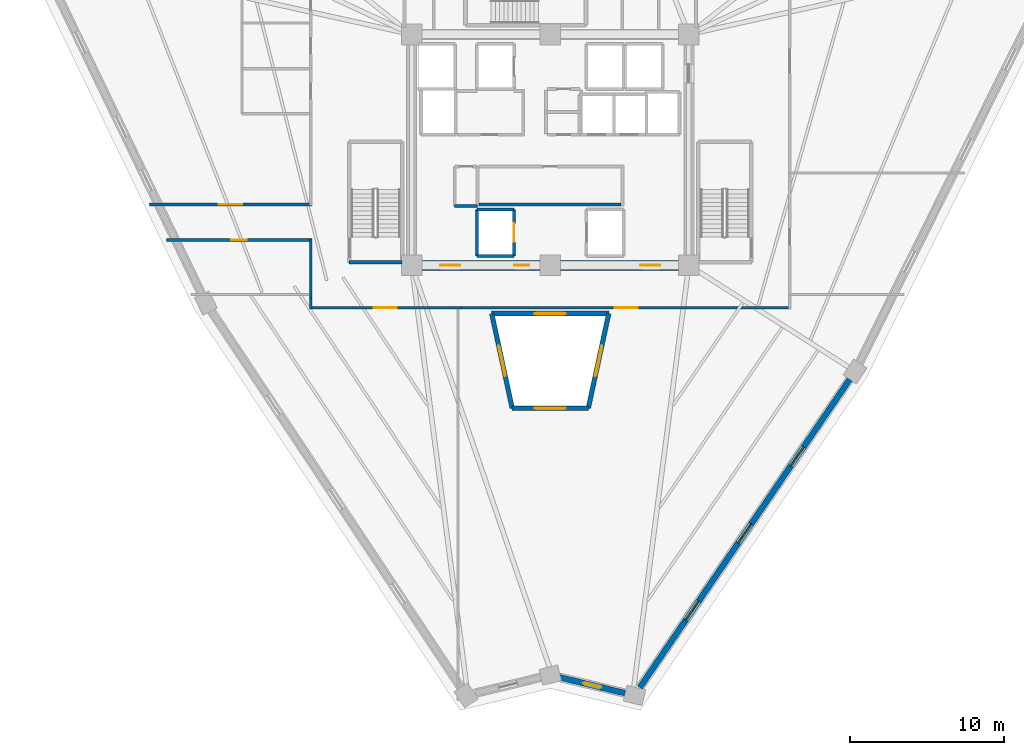
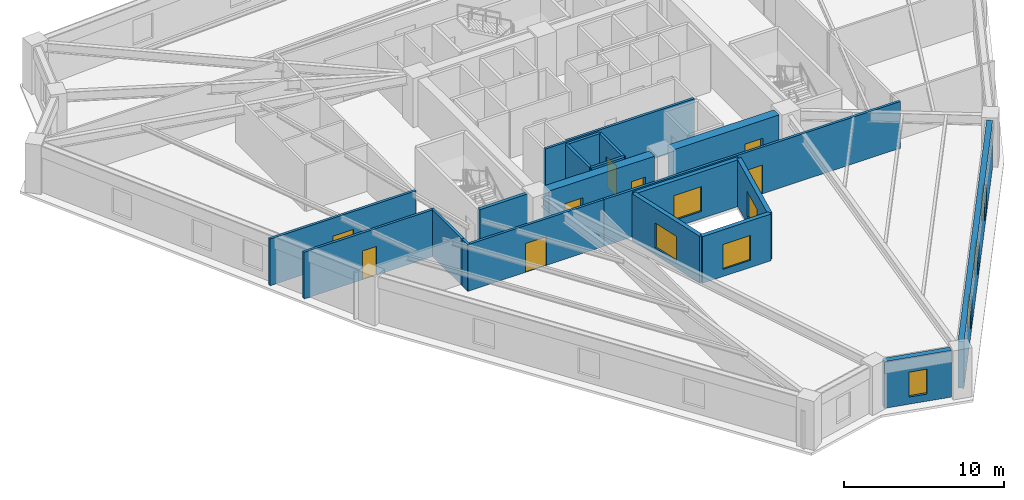
# One storey, part 3 of 8: 21 walls, 8 doors, 8 windows, 16 openings.
"""IFC4 building model written with IfcOpenShell, lengths in metres."""

from ifc_helpers import new_model, si_unit, direction, frame, frame_2d, origin, place, context, subcontext, project, spatial, rectangle, extrude, source, transform, mapped, material, layer, layer_set, type_object, element, fill, save


model = new_model("IFC4")

# Units and contexts
model_context = context("Model", 3, precision=1e-05, world=origin(), true_north=direction((0.0, 1.0)))
body_context = subcontext(model_context, "Body", "Model", "MODEL_VIEW")
ifc_project = project(units=[si_unit("LENGTHUNIT", "METRE"), si_unit("AREAUNIT", "SQUARE_METRE"), si_unit("VOLUMEUNIT", "CUBIC_METRE"), si_unit("PLANEANGLEUNIT", "RADIAN"), si_unit("MASSUNIT", "GRAM", prefix="KILO")], contexts=[model_context])

# Site, building, storey
site_placement = place(None, origin())
site = spatial("IfcSite", under=ifc_project, at=site_placement, CompositionType="ELEMENT")
building_placement = place(site_placement, origin())
building = spatial("IfcBuilding", under=site, at=building_placement, Name="Liaohun Quay Tower", CompositionType="ELEMENT")
storey_placement = place(building_placement, frame((0.0, 0.0, 220.5)))
storey = spatial("IfcBuildingStorey", under=building, at=storey_placement, Name="L57", CompositionType="ELEMENT", Elevation=220.5)

# Wall, opening, window
ifc_material_1 = material(Name="Concrete C50", Category="concrete")
ifc_layer_1 = layer(ifc_material_1, 0.300048828125, Name="Concrete C50", Category="concrete")
ifc_layer_set_1 = layer_set([ifc_layer_1], Name="Concrete C50")
wall_type_1 = type_object("IfcWallType", Name="WAL-ATR-300", PredefinedType="SOLIDWALL", material=ifc_layer_set_1)
wall_1_placement = place(storey_placement, frame((57.529052734375, 37.216064453125, 0.0), z_axis=(0.0, 0.0, 1.0), x_axis=(-0.21140087136, 0.97739944321, 0.0)))
wall_1 = element("IfcWall", 1, at=wall_1_placement, inside=storey, type_object=wall_type_1, Name="L57 Atrium Fire Compartment Wall 1", PredefinedType="SOLIDWALL", context=body_context, shape_type="SweptSolid", body=[
    extrude(rectangle(XDim=6.29638671875, YDim=0.300048828125, at=frame_2d((3.148193359375, 0.0))), origin(), (0.0, 0.0, 1.0), 3.570068359375),
])
shared_shape_1 = source(origin(), body_context, "Body", "SweptSolid", [
    extrude(rectangle(XDim=2.0, YDim=1.89990234375, at=frame_2d((1.0, 0.949951171875))), frame((0.0, 0.159912109375, 0.0), z_axis=(0.0, -1.0, 0.0), x_axis=(1.0, 0.0, 0.0)), (0.0, 0.0, 1.0), 0.320068359375),
])
opening_1_placement = place(wall_1_placement, frame((2.14794921875, 0.0, 0.550048828125)))
opening_1 = element("IfcOpeningElement", 2, at=opening_1_placement, cuts=wall_1, Name="Opening W07", PredefinedType="OPENING", context=body_context, shape_type="MappedRepresentation", body=[
    mapped(shared_shape_1, transform((0.0, 0.0, 0.0), x_axis=(1.0, 0.0, 0.0), y_axis=(0.0, 1.0, 0.0), z_axis=(0.0, 0.0, 1.0), scale=1.0)),
])
ifc_material_2 = material(Name="Class A 180-min fire-resistant insulated glazing", Category="glass")
window_type_1 = type_object("IfcWindowType", Name="WIN-ATR-FIR", PartitioningType="DOUBLE_PANEL_VERTICAL", PredefinedType="WINDOW", material=ifc_material_2)
shared_shape_2 = source(origin(), body_context, "Body", "SweptSolid", [
    extrude(rectangle(XDim=2.0, YDim=1.89990234375, at=frame_2d((1.0, 0.949951171875))), frame((0.0, 0.030029296875, 0.0), z_axis=(0.0, -1.0, 0.0), x_axis=(1.0, 0.0, 0.0)), (0.0, 0.0, 1.0), 0.06005859375),
])
window_1_placement = place(opening_1_placement, origin())
window_1 = element("IfcWindow", 3, at=window_1_placement, inside=storey, type_object=window_type_1, Name="L57 Atrium Fire-Resistant Glazing W07-1", OverallHeight=1.89990234375, OverallWidth=2.0, PartitioningType="DOUBLE_PANEL_VERTICAL", PredefinedType="WINDOW", context=body_context, shape_type="MappedRepresentation", body=[
    mapped(shared_shape_2, transform((0.0, 0.0, 0.0), x_axis=(1.0, 0.0, 0.0), y_axis=(0.0, 1.0, 0.0), z_axis=(0.0, 0.0, 1.0), scale=1.0)),
])
fill(opening_1, window_1)

wall_2_placement = place(storey_placement, frame((56.197998046875, 43.3701171875, 0.0), z_axis=(0.0, 0.0, 1.0), x_axis=(1.0, 0.0, 0.0)))
wall_2 = element("IfcWall", 4, at=wall_2_placement, inside=storey, type_object=wall_type_1, Name="L57 Atrium Fire Compartment Wall 2", PredefinedType="SOLIDWALL", context=body_context, shape_type="SweptSolid", body=[
    extrude(rectangle(XDim=7.60400390625, YDim=0.300048828125, at=frame_2d((3.802001953125, 0.0))), origin(), (0.0, 0.0, 1.0), 3.570068359375),
])
opening_2_placement = place(wall_2_placement, frame((2.802001953125, 0.0, 0.550048828125)))
opening_2 = element("IfcOpeningElement", 5, at=opening_2_placement, cuts=wall_2, Name="Opening W07", PredefinedType="OPENING", context=body_context, shape_type="MappedRepresentation", body=[
    mapped(shared_shape_1, transform((0.0, 0.0, 0.0), x_axis=(1.0, 0.0, 0.0), y_axis=(0.0, 1.0, 0.0), z_axis=(0.0, 0.0, 1.0), scale=1.0)),
])
window_2_placement = place(opening_2_placement, origin())
window_2 = element("IfcWindow", 6, at=window_2_placement, inside=storey, type_object=window_type_1, Name="L57 Atrium Fire-Resistant Glazing W07-2", OverallHeight=1.89990234375, OverallWidth=2.0, PartitioningType="DOUBLE_PANEL_VERTICAL", PredefinedType="WINDOW", context=body_context, shape_type="MappedRepresentation", body=[
    mapped(shared_shape_2, transform((0.0, 0.0, 0.0), x_axis=(1.0, 0.0, 0.0), y_axis=(0.0, 1.0, 0.0), z_axis=(0.0, 0.0, 1.0), scale=1.0)),
])
fill(opening_2, window_2)

wall_3_placement = place(storey_placement, frame((63.802001953125, 43.3701171875, 0.0), z_axis=(0.0, 0.0, 1.0), x_axis=(-0.21140087136, -0.97739944321, 0.0)))
wall_3 = element("IfcWall", 7, at=wall_3_placement, inside=storey, type_object=wall_type_1, Name="L57 Atrium Fire Compartment Wall 3", PredefinedType="SOLIDWALL", context=body_context, shape_type="SweptSolid", body=[
    extrude(rectangle(XDim=6.29638671875, YDim=0.300048828125, at=frame_2d((3.148193359375, 0.0))), origin(), (0.0, 0.0, 1.0), 3.570068359375),
])
opening_3_placement = place(wall_3_placement, frame((2.14794921875, 0.0, 0.550048828125)))
opening_3 = element("IfcOpeningElement", 8, at=opening_3_placement, cuts=wall_3, Name="Opening W07", PredefinedType="OPENING", context=body_context, shape_type="MappedRepresentation", body=[
    mapped(shared_shape_1, transform((0.0, 0.0, 0.0), x_axis=(1.0, 0.0, 0.0), y_axis=(0.0, 1.0, 0.0), z_axis=(0.0, 0.0, 1.0), scale=1.0)),
])
window_3_placement = place(opening_3_placement, origin())
window_3 = element("IfcWindow", 9, at=window_3_placement, inside=storey, type_object=window_type_1, Name="L57 Atrium Fire-Resistant Glazing W07-3", OverallHeight=1.89990234375, OverallWidth=2.0, PartitioningType="DOUBLE_PANEL_VERTICAL", PredefinedType="WINDOW", context=body_context, shape_type="MappedRepresentation", body=[
    mapped(shared_shape_2, transform((0.0, 0.0, 0.0), x_axis=(1.0, 0.0, 0.0), y_axis=(0.0, 1.0, 0.0), z_axis=(0.0, 0.0, 1.0), scale=1.0)),
])
fill(opening_3, window_3)

wall_4_placement = place(storey_placement, frame((62.470947265625, 37.216064453125, 0.0), z_axis=(0.0, 0.0, 1.0), x_axis=(-1.0, 0.0, 0.0)))
wall_4 = element("IfcWall", 10, at=wall_4_placement, inside=storey, type_object=wall_type_1, Name="L57 Atrium Fire Compartment Wall 4", PredefinedType="SOLIDWALL", context=body_context, shape_type="SweptSolid", body=[
    extrude(rectangle(XDim=4.94189453125, YDim=0.300048828125, at=frame_2d((2.470947265625, 0.0))), origin(), (0.0, 0.0, 1.0), 3.570068359375),
])
opening_4_placement = place(wall_4_placement, frame((1.470947265625, 0.0, 0.550048828125)))
opening_4 = element("IfcOpeningElement", 11, at=opening_4_placement, cuts=wall_4, Name="Opening W07", PredefinedType="OPENING", context=body_context, shape_type="MappedRepresentation", body=[
    mapped(shared_shape_1, transform((0.0, 0.0, 0.0), x_axis=(1.0, 0.0, 0.0), y_axis=(0.0, 1.0, 0.0), z_axis=(0.0, 0.0, 1.0), scale=1.0)),
])
window_4_placement = place(opening_4_placement, origin())
window_4 = element("IfcWindow", 12, at=window_4_placement, inside=storey, type_object=window_type_1, Name="L57 Atrium Fire-Resistant Glazing W07-4", OverallHeight=1.89990234375, OverallWidth=2.0, PartitioningType="DOUBLE_PANEL_VERTICAL", PredefinedType="WINDOW", context=body_context, shape_type="MappedRepresentation", body=[
    mapped(shared_shape_2, transform((0.0, 0.0, 0.0), x_axis=(1.0, 0.0, 0.0), y_axis=(0.0, 1.0, 0.0), z_axis=(0.0, 0.0, 1.0), scale=1.0)),
])
fill(opening_4, window_4)

# Wall, opening, door
ifc_material_3 = material(Name="Concrete C55", Category="concrete")
ifc_layer_2 = layer(ifc_material_3, 0.64990234375, Name="Concrete C55", Category="concrete")
ifc_layer_set_2 = layer_set([ifc_layer_2], Name="Concrete C55")
wall_type_2 = type_object("IfcWallType", Name="WAL-COR-Z3", PredefinedType="SHEAR", material=ifc_layer_set_2)
wall_5_placement = place(storey_placement, frame((68.324951171875, 46.5, 0.0), z_axis=(0.0, 0.0, 1.0), x_axis=(-1.0, 0.0, 0.0)))
wall_5 = element("IfcWall", 13, at=wall_5_placement, inside=storey, type_object=wall_type_2, Name="L57 Central Core Shear Wall S-E", PredefinedType="SHEAR", context=body_context, shape_type="SweptSolid", body=[
    extrude(rectangle(XDim=7.64990234375, YDim=0.64990234375, at=frame_2d((3.824951171875, 0.0))), origin(), (0.0, 0.0, 1.0), 3.570068359375),
])
shared_shape_3 = source(origin(), body_context, "Body", "SweptSolid", [
    extrude(rectangle(XDim=1.300048828125, YDim=2.199951171875, at=frame_2d((0.64990234375, 1.10009765625))), frame((0.0, 0.3349609375, 0.0), z_axis=(0.0, -1.0, 0.0), x_axis=(1.0, 0.0, 0.0)), (0.0, 0.0, 1.0), 0.669921875),
])
opening_5_placement = place(wall_5_placement, frame((1.175048828125, 0.0, 0.0)))
opening_5 = element("IfcOpeningElement", 14, at=opening_5_placement, cuts=wall_5, Name="Opening FD1", PredefinedType="OPENING", context=body_context, shape_type="MappedRepresentation", body=[
    mapped(shared_shape_3, transform((0.0, 0.0, 0.0), x_axis=(1.0, 0.0, 0.0), y_axis=(0.0, 1.0, 0.0), z_axis=(0.0, 0.0, 1.0), scale=1.0)),
])
ifc_material_4 = material(Name="Galvanised steel smokeproof fire door", Category="steel")
door_type_1 = type_object("IfcDoorType", Name="DOR-FFL-1300", OperationType="NOTDEFINED", PredefinedType="DOOR", material=ifc_material_4)
shared_shape_4 = source(origin(), body_context, "Body", "SweptSolid", [
    extrude(rectangle(XDim=1.300048828125, YDim=2.199951171875, at=frame_2d((0.64990234375, 1.10009765625))), frame((0.0, 0.02490234375, 0.0), z_axis=(0.0, -1.0, 0.0), x_axis=(1.0, 0.0, 0.0)), (0.0, 0.0, 1.0), 0.050048828125),
])
door_1_placement = place(opening_5_placement, origin())
door_1 = element("IfcDoor", 15, at=door_1_placement, inside=storey, type_object=door_type_1, Name="L57 East Core Lift Lobby Smokeproof Door", OperationType="SINGLE_SWING_LEFT", OverallHeight=2.199951171875, OverallWidth=1.300048828125, PredefinedType="DOOR", context=body_context, shape_type="MappedRepresentation", body=[
    mapped(shared_shape_4, transform((0.0, 0.0, 0.0), x_axis=(1.0, 0.0, 0.0), y_axis=(0.0, 1.0, 0.0), z_axis=(0.0, 0.0, 1.0), scale=1.0)),
])
fill(opening_5, door_1)

# Wall, openings, doors
wall_6_placement = place(storey_placement, frame((59.324951171875, 46.5, 0.0), z_axis=(0.0, 0.0, 1.0), x_axis=(-1.0, 0.0, 0.0)))
wall_6 = element("IfcWall", 16, at=wall_6_placement, inside=storey, type_object=wall_type_2, Name="L57 Central Core Shear Wall S-W", PredefinedType="SHEAR", context=body_context, shape_type="SweptSolid", body=[
    extrude(rectangle(XDim=7.64990234375, YDim=0.64990234375, at=frame_2d((3.824951171875, 0.0))), origin(), (0.0, 0.0, 1.0), 3.570068359375),
])
opening_6_placement = place(wall_6_placement, frame((5.175048828125, 0.0, 0.0)))
opening_6 = element("IfcOpeningElement", 17, at=opening_6_placement, cuts=wall_6, Name="Opening FD1", PredefinedType="OPENING", context=body_context, shape_type="MappedRepresentation", body=[
    mapped(shared_shape_3, transform((0.0, 0.0, 0.0), x_axis=(1.0, 0.0, 0.0), y_axis=(0.0, 1.0, 0.0), z_axis=(0.0, 0.0, 1.0), scale=1.0)),
])
shared_shape_5 = source(origin(), body_context, "Body", "SweptSolid", [
    extrude(rectangle(XDim=1.0, YDim=2.199951171875, at=frame_2d((0.5, 1.10009765625))), frame((0.0, 0.3349609375, 0.0), z_axis=(0.0, -1.0, 0.0), x_axis=(1.0, 0.0, 0.0)), (0.0, 0.0, 1.0), 0.669921875),
])
opening_7_placement = place(wall_6_placement, frame((0.675048828125, 0.0, 0.0)))
opening_7 = element("IfcOpeningElement", 18, at=opening_7_placement, cuts=wall_6, Name="Opening FD2", PredefinedType="OPENING", context=body_context, shape_type="MappedRepresentation", body=[
    mapped(shared_shape_5, transform((0.0, 0.0, 0.0), x_axis=(1.0, 0.0, 0.0), y_axis=(0.0, 1.0, 0.0), z_axis=(0.0, 0.0, 1.0), scale=1.0)),
])
door_2_placement = place(opening_6_placement, origin())
door_2 = element("IfcDoor", 19, at=door_2_placement, inside=storey, type_object=door_type_1, Name="L57 West Core Lift Lobby Smokeproof Door", OperationType="SINGLE_SWING_RIGHT", OverallHeight=2.199951171875, OverallWidth=1.300048828125, PredefinedType="DOOR", context=body_context, shape_type="MappedRepresentation", body=[
    mapped(shared_shape_4, transform((0.0, 0.0, 0.0), x_axis=(1.0, 0.0, 0.0), y_axis=(0.0, 1.0, 0.0), z_axis=(0.0, 0.0, 1.0), scale=1.0)),
])
fill(opening_6, door_2)
ifc_material_5 = material(Name="Galvanised steel smokeproof lobby fire door", Category="steel")
door_type_2 = type_object("IfcDoorType", Name="DOR-FFL-1000", OperationType="NOTDEFINED", PredefinedType="DOOR", material=ifc_material_5)
shared_shape_6 = source(origin(), body_context, "Body", "SweptSolid", [
    extrude(rectangle(XDim=1.0, YDim=2.199951171875, at=frame_2d((0.5, 1.10009765625))), frame((0.0, 0.02490234375, 0.0), z_axis=(0.0, -1.0, 0.0), x_axis=(1.0, 0.0, 0.0)), (0.0, 0.0, 1.0), 0.050048828125),
])
door_3_placement = place(opening_7_placement, origin())
door_3 = element("IfcDoor", 20, at=door_3_placement, inside=storey, type_object=door_type_2, Name="L57 South Firefighting Lobby Smokeproof Door", OperationType="SINGLE_SWING_LEFT", OverallHeight=2.199951171875, OverallWidth=1.0, PredefinedType="DOOR", context=body_context, shape_type="MappedRepresentation", body=[
    mapped(shared_shape_6, transform((0.0, 0.0, 0.0), x_axis=(1.0, 0.0, 0.0), y_axis=(0.0, 1.0, 0.0), z_axis=(0.0, 0.0, 1.0), scale=1.0)),
])
fill(opening_7, door_3)

# Wall, opening, window
ifc_material_6 = material(Name="Precast concrete C50 insulated sandwich", Category="concrete")
ifc_layer_3 = layer(ifc_material_6, 0.3798828125, Name="Precast concrete C50 insulated sandwich", Category="concrete")
ifc_layer_set_3 = layer_set([ifc_layer_3], Name="Precast concrete C50 insulated sandwich")
wall_type_3 = type_object("IfcWallType", Name="WAL-EXT-Z34", PredefinedType="SOLIDWALL", material=ifc_layer_set_3)
wall_7_placement = place(storey_placement, frame((60.597900390625, 19.7451171875, 0.0), z_axis=(0.0, 0.0, 1.0), x_axis=(0.971991723914, -0.235015081735, 0.0)))
wall_7 = element("IfcWall", 21, at=wall_7_placement, inside=storey, type_object=wall_type_3, Name="L57 Brutalist Precast Pier Wall 01", PredefinedType="SOLIDWALL", context=body_context, shape_type="SweptSolid", body=[
    extrude(rectangle(XDim=4.396240234375, YDim=0.3798828125, at=frame_2d((2.1982421875, 0.0))), origin(), (0.0, 0.0, 1.0), 3.570068359375),
])
shared_shape_7 = source(origin(), body_context, "Body", "SweptSolid", [
    extrude(rectangle(XDim=1.199951171875, YDim=1.89990234375, at=frame_2d((0.60009765625, 0.949951171875))), frame((0.0, 0.199951171875, 0.0), z_axis=(0.0, -1.0, 0.0), x_axis=(1.0, 0.0, 0.0)), (0.0, 0.0, 1.0), 0.39990234375),
])
opening_8_placement = place(wall_7_placement, frame((1.597900390625, 0.0, 0.550048828125)))
opening_8 = element("IfcOpeningElement", 22, at=opening_8_placement, cuts=wall_7, Name="Opening W05", PredefinedType="OPENING", context=body_context, shape_type="MappedRepresentation", body=[
    mapped(shared_shape_7, transform((0.0, 0.0, 0.0), x_axis=(1.0, 0.0, 0.0), y_axis=(0.0, 1.0, 0.0), z_axis=(0.0, 0.0, 1.0), scale=1.0)),
])
ifc_material_7 = material(Name="Triple Low-E corner notch glazing", Category="glass")
window_type_2 = type_object("IfcWindowType", Name="WIN-NOTCH", PartitioningType="SINGLE_PANEL", PredefinedType="WINDOW", material=ifc_material_7)
shared_shape_8 = source(origin(), body_context, "Body", "SweptSolid", [
    extrude(rectangle(XDim=1.199951171875, YDim=1.89990234375, at=frame_2d((0.60009765625, 0.949951171875))), frame((0.0, 0.030029296875, 0.0), z_axis=(0.0, -1.0, 0.0), x_axis=(1.0, 0.0, 0.0)), (0.0, 0.0, 1.0), 0.06005859375),
])
window_5_placement = place(opening_8_placement, origin())
window_5 = element("IfcWindow", 23, at=window_5_placement, inside=storey, type_object=window_type_2, Name="L57 Corner Notch Window W05-01", OverallHeight=1.89990234375, OverallWidth=1.199951171875, PartitioningType="SINGLE_PANEL", PredefinedType="WINDOW", context=body_context, shape_type="MappedRepresentation", body=[
    mapped(shared_shape_8, transform((0.0, 0.0, 0.0), x_axis=(1.0, 0.0, 0.0), y_axis=(0.0, 1.0, 0.0), z_axis=(0.0, 0.0, 1.0), scale=1.0)),
])
fill(opening_8, window_5)

# Wall, openings, windows
wall_8_placement = place(storey_placement, frame((65.81494140625, 19.075927734375, 0.0), z_axis=(0.0, 0.0, 1.0), x_axis=(0.562867607659, 0.82654706838, 0.0)))
wall_8 = element("IfcWall", 24, at=wall_8_placement, inside=storey, type_object=wall_type_3, Name="L57 Brutalist Precast Pier Wall 02", PredefinedType="SOLIDWALL", context=body_context, shape_type="SweptSolid", body=[
    extrude(rectangle(XDim=24.222412109375, YDim=0.3798828125, at=frame_2d((12.111328125, 0.0))), origin(), (0.0, 0.0, 1.0), 3.570068359375),
])
shared_shape_9 = source(origin(), body_context, "Body", "SweptSolid", [
    extrude(rectangle(XDim=1.5, YDim=1.89990234375, at=frame_2d((0.75, 0.949951171875))), frame((0.0, 0.199951171875, 0.0), z_axis=(0.0, -1.0, 0.0), x_axis=(1.0, 0.0, 0.0)), (0.0, 0.0, 1.0), 0.39990234375),
])
opening_9_placement = place(wall_8_placement, frame((5.305908203125, 0.0, 0.550048828125)))
opening_9 = element("IfcOpeningElement", 25, at=opening_9_placement, cuts=wall_8, Name="Opening W03", PredefinedType="OPENING", context=body_context, shape_type="MappedRepresentation", body=[
    mapped(shared_shape_9, transform((0.0, 0.0, 0.0), x_axis=(1.0, 0.0, 0.0), y_axis=(0.0, 1.0, 0.0), z_axis=(0.0, 0.0, 1.0), scale=1.0)),
])
opening_10_placement = place(wall_8_placement, frame((11.361083984375, 0.0, 0.550048828125)))
opening_10 = element("IfcOpeningElement", 26, at=opening_10_placement, cuts=wall_8, Name="Opening W03", PredefinedType="OPENING", context=body_context, shape_type="MappedRepresentation", body=[
    mapped(shared_shape_9, transform((0.0, 0.0, 0.0), x_axis=(1.0, 0.0, 0.0), y_axis=(0.0, 1.0, 0.0), z_axis=(0.0, 0.0, 1.0), scale=1.0)),
])
opening_11_placement = place(wall_8_placement, frame((17.4169921875, 0.0, 0.550048828125)))
opening_11 = element("IfcOpeningElement", 27, at=opening_11_placement, cuts=wall_8, Name="Opening W03", PredefinedType="OPENING", context=body_context, shape_type="MappedRepresentation", body=[
    mapped(shared_shape_9, transform((0.0, 0.0, 0.0), x_axis=(1.0, 0.0, 0.0), y_axis=(0.0, 1.0, 0.0), z_axis=(0.0, 0.0, 1.0), scale=1.0)),
])
ifc_material_8 = material(Name="Triple Low-E argon glazing in thermally broken aluminium", Category="aluminium")
window_type_3 = type_object("IfcWindowType", Name="WIN-PUN-Z3", PartitioningType="DOUBLE_PANEL_VERTICAL", PredefinedType="WINDOW", material=ifc_material_8)
shared_shape_10 = source(origin(), body_context, "Body", "SweptSolid", [
    extrude(rectangle(XDim=1.5, YDim=1.89990234375, at=frame_2d((0.75, 0.949951171875))), frame((0.0, 0.030029296875, 0.0), z_axis=(0.0, -1.0, 0.0), x_axis=(1.0, 0.0, 0.0)), (0.0, 0.0, 1.0), 0.06005859375),
])
window_6_placement = place(opening_9_placement, origin())
window_6 = element("IfcWindow", 28, at=window_6_placement, inside=storey, type_object=window_type_3, Name="L57 Recessed Cold-Climate Punched Window 02-1", OverallHeight=1.89990234375, OverallWidth=1.5, PartitioningType="DOUBLE_PANEL_VERTICAL", PredefinedType="WINDOW", context=body_context, shape_type="MappedRepresentation", body=[
    mapped(shared_shape_10, transform((0.0, 0.0, 0.0), x_axis=(1.0, 0.0, 0.0), y_axis=(0.0, 1.0, 0.0), z_axis=(0.0, 0.0, 1.0), scale=1.0)),
])
fill(opening_9, window_6)
window_7_placement = place(opening_10_placement, origin())
window_7 = element("IfcWindow", 29, at=window_7_placement, inside=storey, type_object=window_type_3, Name="L57 Recessed Cold-Climate Punched Window 02-2", OverallHeight=1.89990234375, OverallWidth=1.5, PartitioningType="DOUBLE_PANEL_VERTICAL", PredefinedType="WINDOW", context=body_context, shape_type="MappedRepresentation", body=[
    mapped(shared_shape_10, transform((0.0, 0.0, 0.0), x_axis=(1.0, 0.0, 0.0), y_axis=(0.0, 1.0, 0.0), z_axis=(0.0, 0.0, 1.0), scale=1.0)),
])
fill(opening_10, window_7)
window_8_placement = place(opening_11_placement, origin())
window_8 = element("IfcWindow", 30, at=window_8_placement, inside=storey, type_object=window_type_3, Name="L57 Recessed Cold-Climate Punched Window 02-3", OverallHeight=1.89990234375, OverallWidth=1.5, PartitioningType="DOUBLE_PANEL_VERTICAL", PredefinedType="WINDOW", context=body_context, shape_type="MappedRepresentation", body=[
    mapped(shared_shape_10, transform((0.0, 0.0, 0.0), x_axis=(1.0, 0.0, 0.0), y_axis=(0.0, 1.0, 0.0), z_axis=(0.0, 0.0, 1.0), scale=1.0)),
])
fill(opening_11, window_8)

# Wall, opening, door
ifc_material_9 = material(Name="Autoclaved aerated concrete blockwork", Category="masonry")
ifc_layer_4 = layer(ifc_material_9, 0.179931640625, Name="Autoclaved aerated concrete blockwork", Category="masonry")
ifc_layer_set_4 = layer_set([ifc_layer_4], Name="Autoclaved aerated concrete blockwork")
wall_type_4 = type_object("IfcWallType", Name="WAL-PRT-COR", PredefinedType="PARTITIONING", material=ifc_layer_set_4)
wall_9_placement = place(storey_placement, frame((33.9560546875, 50.4599609375, 0.0), z_axis=(0.0, 0.0, 1.0), x_axis=(1.0, 0.0, 0.0)))
wall_9 = element("IfcWall", 31, at=wall_9_placement, inside=storey, type_object=wall_type_4, Name="L57 Interior Partition Wall 019", PredefinedType="PARTITIONING", context=body_context, shape_type="SweptSolid", body=[
    extrude(rectangle(XDim=10.553955078125, YDim=0.179931640625, at=frame_2d((5.27685546875, 0.0))), origin(), (0.0, 0.0, 1.0), 3.570068359375),
])
shared_shape_11 = source(origin(), body_context, "Body", "SweptSolid", [
    extrude(rectangle(XDim=1.5, YDim=2.199951171875, at=frame_2d((0.75, 1.10009765625))), frame((0.0, 0.099853515625, 0.0), z_axis=(0.0, -1.0, 0.0), x_axis=(1.0, 0.0, 0.0)), (0.0, 0.0, 1.0), 0.199951171875),
])
opening_12_placement = place(wall_9_placement, frame((4.527099609375, 0.0, 0.0)))
opening_12 = element("IfcOpeningElement", 32, at=opening_12_placement, cuts=wall_9, Name="Opening OD2", PredefinedType="OPENING", context=body_context, shape_type="MappedRepresentation", body=[
    mapped(shared_shape_11, transform((0.0, 0.0, 0.0), x_axis=(1.0, 0.0, 0.0), y_axis=(0.0, 1.0, 0.0), z_axis=(0.0, 0.0, 1.0), scale=1.0)),
])
ifc_material_10 = material(Name="Acoustic oak veneer double door")
door_type_3 = type_object("IfcDoorType", Name="DOR-OFF-1500", OperationType="DOUBLE_DOOR_SINGLE_SWING", PredefinedType="DOOR", material=ifc_material_10)
shared_shape_12 = source(origin(), body_context, "Body", "SweptSolid", [
    extrude(rectangle(XDim=1.5, YDim=2.199951171875, at=frame_2d((0.75, 1.10009765625))), frame((0.0, 0.02490234375, 0.0), z_axis=(0.0, -1.0, 0.0), x_axis=(1.0, 0.0, 0.0)), (0.0, 0.0, 1.0), 0.050048828125),
])
door_4_placement = place(opening_12_placement, origin())
door_4 = element("IfcDoor", 33, at=door_4_placement, inside=storey, type_object=door_type_3, Name="L57 Project Collaboration Studio 04 Door", OperationType="DOUBLE_DOOR_SINGLE_SWING", OverallHeight=2.199951171875, OverallWidth=1.5, PredefinedType="DOOR", context=body_context, shape_type="MappedRepresentation", body=[
    mapped(shared_shape_12, transform((0.0, 0.0, 0.0), x_axis=(1.0, 0.0, 0.0), y_axis=(0.0, 1.0, 0.0), z_axis=(0.0, 0.0, 1.0), scale=1.0)),
])
fill(opening_12, door_4)

wall_10_placement = place(storey_placement, frame((44.510009765625, 48.139892578125, 0.0), z_axis=(0.0, 0.0, 1.0), x_axis=(-1.0, 0.0, 0.0)))
wall_10 = element("IfcWall", 34, at=wall_10_placement, inside=storey, type_object=wall_type_4, Name="L57 Interior Partition Wall 020", PredefinedType="PARTITIONING", context=body_context, shape_type="SweptSolid", body=[
    extrude(rectangle(XDim=9.43603515625, YDim=0.179931640625, at=frame_2d((4.718017578125, 0.0))), origin(), (0.0, 0.0, 1.0), 3.570068359375),
])
shared_shape_13 = source(origin(), body_context, "Body", "SweptSolid", [
    extrude(rectangle(XDim=1.0, YDim=2.199951171875, at=frame_2d((0.5, 1.10009765625))), frame((0.0, 0.099853515625, 0.0), z_axis=(0.0, -1.0, 0.0), x_axis=(1.0, 0.0, 0.0)), (0.0, 0.0, 1.0), 0.199951171875),
])
opening_13_placement = place(wall_10_placement, frame((4.218017578125, 0.0, 0.0)))
opening_13 = element("IfcOpeningElement", 35, at=opening_13_placement, cuts=wall_10, Name="Opening OD1", PredefinedType="OPENING", context=body_context, shape_type="MappedRepresentation", body=[
    mapped(shared_shape_13, transform((0.0, 0.0, 0.0), x_axis=(1.0, 0.0, 0.0), y_axis=(0.0, 1.0, 0.0), z_axis=(0.0, 0.0, 1.0), scale=1.0)),
])
ifc_material_11 = material(Name="Solid-core oak veneer timber leaf in steel frame", Category="steel")
door_type_4 = type_object("IfcDoorType", Name="DOR-OFF-1000", OperationType="NOTDEFINED", PredefinedType="DOOR", material=ifc_material_11)
door_5_placement = place(opening_13_placement, origin())
door_5 = element("IfcDoor", 36, at=door_5_placement, inside=storey, type_object=door_type_4, Name="L57 Client Collaboration Lounge 05 Door", OperationType="SINGLE_SWING_LEFT", OverallHeight=2.199951171875, OverallWidth=1.0, PredefinedType="DOOR", context=body_context, shape_type="MappedRepresentation", body=[
    mapped(shared_shape_6, transform((0.0, 0.0, 0.0), x_axis=(1.0, 0.0, 0.0), y_axis=(0.0, 1.0, 0.0), z_axis=(0.0, 0.0, 1.0), scale=1.0)),
])
fill(opening_13, door_5)

wall_11_placement = place(storey_placement, frame((54.215087890625, 43.739990234375, 0.0), z_axis=(0.0, 0.0, 1.0), x_axis=(-1.0, 0.0, 0.0)))
wall_11 = element("IfcWall", 37, at=wall_11_placement, inside=storey, type_object=wall_type_4, Name="L57 Interior Partition Wall 021", PredefinedType="PARTITIONING", context=body_context, shape_type="SweptSolid", body=[
    extrude(rectangle(XDim=9.844970703125, YDim=0.179931640625, at=frame_2d((4.92236328125, 0.0))), origin(), (0.0, 0.0, 1.0), 3.570068359375),
])
opening_14_placement = place(wall_11_placement, frame((4.173095703125, 0.0, 0.0)))
opening_14 = element("IfcOpeningElement", 38, at=opening_14_placement, cuts=wall_11, Name="Opening OD2", PredefinedType="OPENING", context=body_context, shape_type="MappedRepresentation", body=[
    mapped(shared_shape_11, transform((0.0, 0.0, 0.0), x_axis=(1.0, 0.0, 0.0), y_axis=(0.0, 1.0, 0.0), z_axis=(0.0, 0.0, 1.0), scale=1.0)),
])
door_6_placement = place(opening_14_placement, origin())
door_6 = element("IfcDoor", 39, at=door_6_placement, inside=storey, type_object=door_type_3, Name="L57 Staff Tea Kitchen and Pantry 06 Door", OperationType="DOUBLE_DOOR_SINGLE_SWING", OverallHeight=2.199951171875, OverallWidth=1.5, PredefinedType="DOOR", context=body_context, shape_type="MappedRepresentation", body=[
    mapped(shared_shape_12, transform((0.0, 0.0, 0.0), x_axis=(1.0, 0.0, 0.0), y_axis=(0.0, 1.0, 0.0), z_axis=(0.0, 0.0, 1.0), scale=1.0)),
])
fill(opening_14, door_6)

wall_12_placement = place(storey_placement, frame((75.6298828125, 43.739990234375, 0.0), z_axis=(0.0, 0.0, 1.0), x_axis=(-1.0, 0.0, 0.0)))
wall_12 = element("IfcWall", 40, at=wall_12_placement, inside=storey, type_object=wall_type_4, Name="L57 Interior Partition Wall 022", PredefinedType="PARTITIONING", context=body_context, shape_type="SweptSolid", body=[
    extrude(rectangle(XDim=21.414794921875, YDim=0.179931640625, at=frame_2d((10.70751953125, 0.0))), origin(), (0.0, 0.0, 1.0), 3.570068359375),
])
opening_15_placement = place(wall_12_placement, frame((9.95703125, 0.0, 0.0)))
opening_15 = element("IfcOpeningElement", 41, at=opening_15_placement, cuts=wall_12, Name="Opening OD2", PredefinedType="OPENING", context=body_context, shape_type="MappedRepresentation", body=[
    mapped(shared_shape_11, transform((0.0, 0.0, 0.0), x_axis=(1.0, 0.0, 0.0), y_axis=(0.0, 1.0, 0.0), z_axis=(0.0, 0.0, 1.0), scale=1.0)),
])
door_7_placement = place(opening_15_placement, origin())
door_7 = element("IfcDoor", 42, at=door_7_placement, inside=storey, type_object=door_type_3, Name="L57 Staff Daycare Nursery 07 Door", OperationType="DOUBLE_DOOR_SINGLE_SWING", OverallHeight=2.199951171875, OverallWidth=1.5, PredefinedType="DOOR", context=body_context, shape_type="MappedRepresentation", body=[
    mapped(shared_shape_12, transform((0.0, 0.0, 0.0), x_axis=(1.0, 0.0, 0.0), y_axis=(0.0, 1.0, 0.0), z_axis=(0.0, 0.0, 1.0), scale=1.0)),
])
fill(opening_15, door_7)

# Walls
wall_13_placement = place(storey_placement, frame((53.7900390625, 50.35009765625, 0.0), z_axis=(0.0, 0.0, 1.0), x_axis=(1.0, 0.0, 0.0)))
element("IfcWall", 43, at=wall_13_placement, inside=storey, type_object=wall_type_4, Name="L57 Interior Partition Wall 028", PredefinedType="PARTITIONING", context=body_context, shape_type="SweptSolid", body=[
    extrude(rectangle(XDim=1.489990234375, YDim=0.179931640625, at=frame_2d((0.7451171875, 0.0))), origin(), (0.0, 0.0, 1.0), 3.570068359375),
])
wall_14_placement = place(storey_placement, frame((44.43994140625, 44.385009765625, 0.0), z_axis=(0.0, 0.0, 1.0), x_axis=(0.0, 1.0, 0.0)))
element("IfcWall", 44, at=wall_14_placement, inside=storey, type_object=wall_type_4, Name="L57 Interior Partition Wall 046", PredefinedType="PARTITIONING", context=body_context, shape_type="SweptSolid", body=[
    extrude(rectangle(XDim=3.824951171875, YDim=0.179931640625, at=frame_2d((1.91259765625, 0.0))), origin(), (0.0, 0.0, 1.0), 3.570068359375),
])
wall_15_placement = place(storey_placement, frame((44.43994140625, 43.669921875, 0.0), z_axis=(0.0, 0.0, 1.0), x_axis=(0.0, 1.0, 0.0)))
element("IfcWall", 45, at=wall_15_placement, inside=storey, type_object=wall_type_4, Name="L57 Interior Partition Wall 047", PredefinedType="PARTITIONING", context=body_context, shape_type="SweptSolid", body=[
    extrude(rectangle(XDim=0.715087890625, YDim=0.179931640625, at=frame_2d((0.357421875, 0.0))), origin(), (0.0, 0.0, 1.0), 3.570068359375),
])
wall_16_placement = place(storey_placement, frame((55.3701171875, 50.449951171875, 0.0), z_axis=(0.0, 0.0, 1.0), x_axis=(1.0, 0.0, 0.0)))
element("IfcWall", 46, at=wall_16_placement, inside=storey, type_object=wall_type_4, Name="L57 Interior Partition Wall 056", PredefinedType="PARTITIONING", context=body_context, shape_type="SweptSolid", body=[
    extrude(rectangle(XDim=9.239990234375, YDim=0.179931640625, at=frame_2d((4.6201171875, 0.0))), origin(), (0.0, 0.0, 1.0), 3.570068359375),
])
ifc_layer_5 = layer(ifc_material_1, 0.239990234375, Name="Concrete C50", Category="concrete")
ifc_layer_set_5 = layer_set([ifc_layer_5], Name="Concrete C50")
wall_type_5 = type_object("IfcWallType", Name="WAL-SHF-200", PredefinedType="SOLIDWALL", material=ifc_layer_set_5)
wall_17_placement = place(storey_placement, frame((46.93994140625, 46.699951171875, 0.0), z_axis=(0.0, 0.0, 1.0), x_axis=(1.0, 0.0, 0.0)))
element("IfcWall", 47, at=wall_17_placement, inside=storey, type_object=wall_type_5, Name="L57 Stairwell ST-1 Structural Core Wall S", PredefinedType="SOLIDWALL", context=body_context, shape_type="SweptSolid", body=[
    extrude(rectangle(XDim=3.43994140625, YDim=0.239990234375, at=frame_2d((1.719970703125, 0.0))), origin(), (0.0, 0.0, 1.0), 3.570068359375),
])
wall_18_placement = place(storey_placement, frame((55.25, 47.1201171875, 0.0), z_axis=(0.0, 0.0, 1.0), x_axis=(1.0, 0.0, 0.0)))
element("IfcWall", 48, at=wall_18_placement, inside=storey, type_object=wall_type_5, Name="L57 Lift FF-01 Hoistway Wall S", PredefinedType="SOLIDWALL", context=body_context, shape_type="SweptSolid", body=[
    extrude(rectangle(XDim=2.39990234375, YDim=0.199951171875, at=frame_2d((1.199951171875, 0.0))), origin(), (0.0, 0.0, 1.0), 3.570068359375),
])

# Wall, opening, door
wall_19_placement = place(storey_placement, frame((57.64990234375, 47.1201171875, 0.0), z_axis=(0.0, 0.0, 1.0), x_axis=(0.0, 1.0, 0.0)))
wall_19 = element("IfcWall", 49, at=wall_19_placement, inside=storey, type_object=wall_type_5, Name="L57 Lift FF-01 Hoistway Wall E", PredefinedType="SOLIDWALL", context=body_context, shape_type="SweptSolid", body=[
    extrude(rectangle(XDim=3.0, YDim=0.199951171875, at=frame_2d((1.5, 0.0))), origin(), (0.0, 0.0, 1.0), 3.570068359375),
])
shared_shape_14 = source(origin(), body_context, "Body", "SweptSolid", [
    extrude(rectangle(XDim=1.199951171875, YDim=2.300048828125, at=frame_2d((0.60009765625, 1.14990234375))), frame((0.0, 0.10986328125, 0.0), z_axis=(0.0, -1.0, 0.0), x_axis=(1.0, 0.0, 0.0)), (0.0, 0.0, 1.0), 0.219970703125),
])
opening_16_placement = place(wall_19_placement, frame((0.89990234375, 0.0, 0.0)))
opening_16 = element("IfcOpeningElement", 50, at=opening_16_placement, cuts=wall_19, Name="Opening LD2", PredefinedType="OPENING", context=body_context, shape_type="MappedRepresentation", body=[
    mapped(shared_shape_14, transform((0.0, 0.0, 0.0), x_axis=(1.0, 0.0, 0.0), y_axis=(0.0, 1.0, 0.0), z_axis=(0.0, 0.0, 1.0), scale=1.0)),
])
ifc_material_12 = material(Name="Brushed stainless steel stretcher landing door", Category="steel")
door_type_5 = type_object("IfcDoorType", Name="DOR-LFT-1200", OperationType="SLIDING_TO_LEFT", PredefinedType="DOOR", material=ifc_material_12)
shared_shape_15 = source(origin(), body_context, "Body", "SweptSolid", [
    extrude(rectangle(XDim=1.199951171875, YDim=2.300048828125, at=frame_2d((0.60009765625, 1.14990234375))), frame((0.0, 0.02490234375, 0.0), z_axis=(0.0, -1.0, 0.0), x_axis=(1.0, 0.0, 0.0)), (0.0, 0.0, 1.0), 0.050048828125),
])
door_8_placement = place(opening_16_placement, origin())
door_8 = element("IfcDoor", 51, at=door_8_placement, inside=storey, type_object=door_type_5, Name="L57 Lift FF-01 Sliding Landing Door", OperationType="SLIDING_TO_LEFT", OverallHeight=2.300048828125, OverallWidth=1.199951171875, PredefinedType="DOOR", context=body_context, shape_type="MappedRepresentation", body=[
    mapped(shared_shape_15, transform((0.0, 0.0, 0.0), x_axis=(1.0, 0.0, 0.0), y_axis=(0.0, 1.0, 0.0), z_axis=(0.0, 0.0, 1.0), scale=1.0)),
])
fill(opening_16, door_8)

# Walls
wall_20_placement = place(storey_placement, frame((57.64990234375, 50.1201171875, 0.0), z_axis=(0.0, 0.0, 1.0), x_axis=(-1.0, 0.0, 0.0)))
element("IfcWall", 52, at=wall_20_placement, inside=storey, type_object=wall_type_5, Name="L57 Lift FF-01 Hoistway Wall N", PredefinedType="SOLIDWALL", context=body_context, shape_type="SweptSolid", body=[
    extrude(rectangle(XDim=2.39990234375, YDim=0.199951171875, at=frame_2d((1.199951171875, 0.0))), origin(), (0.0, 0.0, 1.0), 3.570068359375),
])
wall_21_placement = place(storey_placement, frame((55.25, 50.1201171875, 0.0), z_axis=(0.0, 0.0, 1.0), x_axis=(0.0, -1.0, 0.0)))
element("IfcWall", 53, at=wall_21_placement, inside=storey, type_object=wall_type_5, Name="L57 Lift FF-01 Hoistway Wall W", PredefinedType="SOLIDWALL", context=body_context, shape_type="SweptSolid", body=[
    extrude(rectangle(XDim=3.0, YDim=0.199951171875, at=frame_2d((1.5, 0.0))), origin(), (0.0, 0.0, 1.0), 3.570068359375),
])

save(model, "model.ifc")
